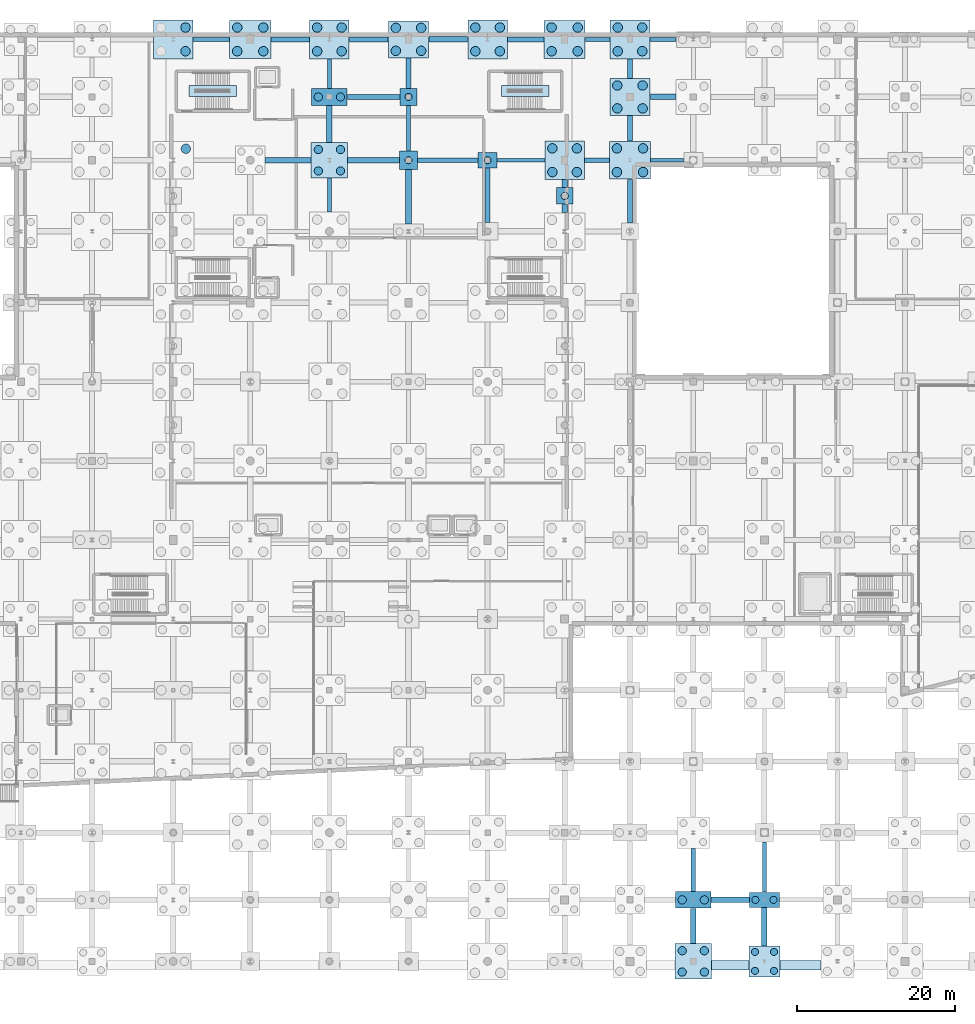
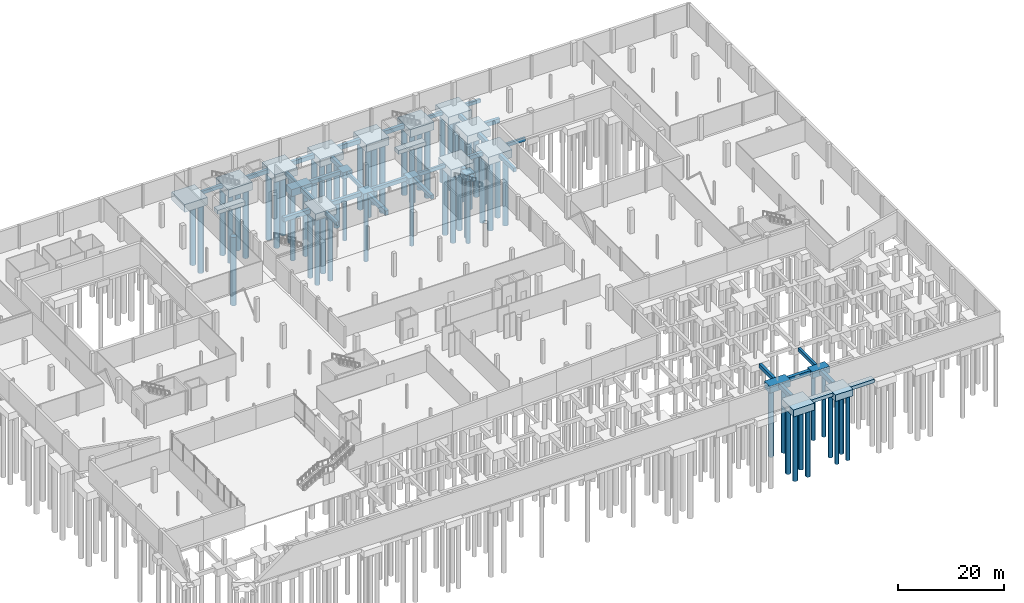
# One storey, part 10 of 60: 61 piles, 56 footings.
"""IFC4 building model written with IfcOpenShell, lengths in metres."""

from ifc_helpers import new_model, si_unit, direction, frame, origin, origin_2d, place, context, subcontext, project, spatial, rectangle, circle, extrude, material, material_profile, profile_set, type_object, element, save


model = new_model("IFC4")

# Units and contexts
model_context = context("Model", 3, precision=1e-05, world=origin(), true_north=direction((0.0, 1.0)))
body_context = subcontext(model_context, "Body", "Model", "MODEL_VIEW")
ifc_project = project(units=[si_unit("LENGTHUNIT", "METRE"), si_unit("AREAUNIT", "SQUARE_METRE"), si_unit("VOLUMEUNIT", "CUBIC_METRE"), si_unit("PLANEANGLEUNIT", "RADIAN"), si_unit("MASSUNIT", "GRAM", prefix="KILO")], contexts=[model_context])

# Site, building, storey
site_placement = place(None, origin())
site = spatial("IfcSite", under=ifc_project, at=site_placement, CompositionType="ELEMENT")
building_placement = place(site_placement, origin())
building = spatial("IfcBuilding", under=site, at=building_placement, Name="Trimount Lyric Opera House", CompositionType="ELEMENT")
storey_placement = place(building_placement, frame((0.0, 0.0, -5.39990234375)))
storey = spatial("IfcBuildingStorey", under=building, at=storey_placement, Name="B1", CompositionType="ELEMENT", Elevation=-5.39990234375)

# Footings
ifc_material_1 = material(Name="Concrete C40/50", Category="concrete")
footing_type_1 = type_object("IfcFootingType", Name="FB-01", PredefinedType="FOOTING_BEAM", material=ifc_material_1)
footing_1_placement = place(storey_placement, frame((78.77490234375, 102.0, -1.60009765625), z_axis=(0.0, 0.0, 1.0), x_axis=(1.0, 0.0, 0.0)))
element("IfcFooting", 1, at=footing_1_placement, inside=storey, type_object=footing_type_1, Name="Ground tie beam X-0188", PredefinedType="FOOTING_BEAM", context=body_context, shape_type="SweptSolid", body=[
    extrude(rectangle(XDim=5.820068359375, YDim=0.699951171875, at=origin_2d()), origin(), (0.0, 0.0, 1.0), 1.0),
])
footing_2_placement = place(storey_placement, frame((84.0, 106.60009765625, -1.60009765625), z_axis=(0.0, 0.0, 1.0), x_axis=(1.0, 0.0, 0.0)))
element("IfcFooting", 2, at=footing_2_placement, inside=storey, type_object=footing_type_1, Name="Ground tie beam Y-0212", PredefinedType="FOOTING_BEAM", context=body_context, shape_type="SweptSolid", body=[
    extrude(rectangle(XDim=0.699951171875, YDim=4.669921875, at=origin_2d()), origin(), (0.0, 0.0, 1.0), 1.0),
])
footing_3_placement = place(storey_placement, frame((94.0, 97.39990234375, -1.60009765625), z_axis=(0.0, 0.0, 1.0), x_axis=(1.0, 0.0, 0.0)))
element("IfcFooting", 3, at=footing_3_placement, inside=storey, type_object=footing_type_1, Name="Ground tie beam Y-0236", PredefinedType="FOOTING_BEAM", context=body_context, shape_type="SweptSolid", body=[
    extrude(rectangle(XDim=0.699951171875, YDim=6.8701171875, at=origin_2d()), origin(), (0.0, 0.0, 1.0), 1.0),
])
footing_4_placement = place(storey_placement, frame((99.02490234375, 117.280029296875, -1.60009765625), z_axis=(0.0, 0.0, 1.0), x_axis=(1.0, 0.0, 0.0)))
element("IfcFooting", 4, at=footing_4_placement, inside=storey, type_object=footing_type_1, Name="Ground tie beam X-0240", PredefinedType="FOOTING_BEAM", context=body_context, shape_type="SweptSolid", body=[
    extrude(rectangle(XDim=4.919921875, YDim=0.699951171875, at=origin_2d()), origin(), (0.0, 0.0, 1.0), 1.0),
])
footing_5_placement = place(storey_placement, frame((113.739990234375, 95.89990234375, -1.60009765625), z_axis=(0.0, 0.0, 1.0), x_axis=(1.0, 0.0, 0.0)))
element("IfcFooting", 5, at=footing_5_placement, inside=storey, type_object=footing_type_1, Name="Ground tie beam Y-0284 seg 1", PredefinedType="FOOTING_BEAM", context=body_context, shape_type="SweptSolid", body=[
    extrude(rectangle(XDim=0.699951171875, YDim=1.070068359375, at=origin_2d()), origin(), (0.0, 0.0, 1.0), 1.0),
])
footing_6_placement = place(storey_placement, frame((113.739990234375, 99.050048828125, -1.60009765625), z_axis=(0.0, 0.0, 1.0), x_axis=(1.0, 0.0, 0.0)))
element("IfcFooting", 6, at=footing_6_placement, inside=storey, type_object=footing_type_1, Name="Ground tie beam Y-0284 seg 2", PredefinedType="FOOTING_BEAM", context=body_context, shape_type="SweptSolid", body=[
    extrude(rectangle(XDim=0.699951171875, YDim=0.969970703125, at=origin_2d()), origin(), (0.0, 0.0, 1.0), 1.0),
])
footing_7_placement = place(storey_placement, frame((126.175048828125, 110.0, -1.60009765625), z_axis=(0.0, 0.0, 1.0), x_axis=(1.0, 0.0, 0.0)))
element("IfcFooting", 7, at=footing_7_placement, inside=storey, type_object=footing_type_1, Name="Ground tie beam X-0308", PredefinedType="FOOTING_BEAM", context=body_context, shape_type="SweptSolid", body=[
    extrude(rectangle(XDim=3.219970703125, YDim=0.699951171875, at=origin_2d()), origin(), (0.0, 0.0, 1.0), 1.0),
])
footing_8_placement = place(storey_placement, frame((134.675048828125, 8.5, -1.60009765625), z_axis=(0.0, 0.0, 1.0), x_axis=(1.0, 0.0, 0.0)))
element("IfcFooting", 8, at=footing_8_placement, inside=storey, type_object=footing_type_1, Name="Ground tie beam X-0312", PredefinedType="FOOTING_BEAM", context=body_context, shape_type="SweptSolid", body=[
    extrude(rectangle(XDim=4.820068359375, YDim=0.699951171875, at=origin_2d()), origin(), (0.0, 0.0, 1.0), 1.0),
])
footing_9_placement = place(storey_placement, frame((139.0, 5.110107421875, -1.60009765625), z_axis=(0.0, 0.0, 1.0), x_axis=(1.0, 0.0, 0.0)))
element("IfcFooting", 9, at=footing_9_placement, inside=storey, type_object=footing_type_1, Name="Ground tie beam Y-0332", PredefinedType="FOOTING_BEAM", context=body_context, shape_type="SweptSolid", body=[
    extrude(rectangle(XDim=0.699951171875, YDim=4.85009765625, at=origin_2d()), origin(), (0.0, 0.0, 1.0), 1.0),
])
ifc_material_2 = material(Name="Concrete C40/50", Category="concrete")
footing_type_2 = type_object("IfcFootingType", Name="FB-02", PredefinedType="FOOTING_BEAM", material=ifc_material_2)
footing_10_placement = place(storey_placement, frame((79.050048828125, 117.280029296875, -1.5), z_axis=(0.0, 0.0, 1.0), x_axis=(1.0, 0.0, 0.0)))
element("IfcFooting", 10, at=footing_10_placement, inside=storey, type_object=footing_type_2, Name="Ground tie beam X-0189", PredefinedType="FOOTING_BEAM", context=body_context, shape_type="SweptSolid", body=[
    extrude(rectangle(XDim=4.8701171875, YDim=0.60009765625, at=origin_2d()), origin(), (0.0, 0.0, 1.0), 0.89990234375),
])
footing_11_placement = place(storey_placement, frame((89.60009765625, 110.0, -1.5), z_axis=(0.0, 0.0, 1.0), x_axis=(1.0, 0.0, 0.0)))
element("IfcFooting", 11, at=footing_11_placement, inside=storey, type_object=footing_type_2, Name="Ground tie beam X-0213", PredefinedType="FOOTING_BEAM", context=body_context, shape_type="SweptSolid", body=[
    extrude(rectangle(XDim=6.669921875, YDim=0.60009765625, at=origin_2d()), origin(), (0.0, 0.0, 1.0), 0.89990234375),
])
footing_12_placement = place(storey_placement, frame((98.97509765625, 102.0, -1.5), z_axis=(0.0, 0.0, 1.0), x_axis=(1.0, 0.0, 0.0)))
element("IfcFooting", 12, at=footing_12_placement, inside=storey, type_object=footing_type_2, Name="Ground tie beam X-0237", PredefinedType="FOOTING_BEAM", context=body_context, shape_type="SweptSolid", body=[
    extrude(rectangle(XDim=7.6201171875, YDim=0.60009765625, at=origin_2d()), origin(), (0.0, 0.0, 1.0), 0.89990234375),
])
footing_13_placement = place(storey_placement, frame((104.0, 97.550048828125, -1.5), z_axis=(0.0, 0.0, 1.0), x_axis=(1.0, 0.0, 0.0)))
element("IfcFooting", 13, at=footing_13_placement, inside=storey, type_object=footing_type_2, Name="Ground tie beam Y-0261", PredefinedType="FOOTING_BEAM", context=body_context, shape_type="SweptSolid", body=[
    extrude(rectangle(XDim=0.60009765625, YDim=6.8701171875, at=origin_2d()), origin(), (0.0, 0.0, 1.0), 0.89990234375),
])
footing_14_placement = place(storey_placement, frame((117.820068359375, 102.0, -1.5), z_axis=(0.0, 0.0, 1.0), x_axis=(1.0, 0.0, 0.0)))
element("IfcFooting", 14, at=footing_14_placement, inside=storey, type_object=footing_type_2, Name="Ground tie beam X-0285", PredefinedType="FOOTING_BEAM", context=body_context, shape_type="SweptSolid", body=[
    extrude(rectangle(XDim=3.1298828125, YDim=0.60009765625, at=origin_2d()), origin(), (0.0, 0.0, 1.0), 0.89990234375),
])
footing_15_placement = place(storey_placement, frame((122.0, 96.824951171875, -1.5), z_axis=(0.0, 0.0, 1.0), x_axis=(1.0, 0.0, 0.0)))
element("IfcFooting", 15, at=footing_15_placement, inside=storey, type_object=footing_type_2, Name="Ground tie beam Y-0305", PredefinedType="FOOTING_BEAM", context=body_context, shape_type="SweptSolid", body=[
    extrude(rectangle(XDim=0.60009765625, YDim=5.52001953125, at=origin_2d()), origin(), (0.0, 0.0, 1.0), 0.89990234375),
])
footing_16_placement = place(storey_placement, frame((122.0, 113.590087890625, -1.5), z_axis=(0.0, 0.0, 1.0), x_axis=(1.0, 0.0, 0.0)))
element("IfcFooting", 16, at=footing_16_placement, inside=storey, type_object=footing_type_2, Name="Ground tie beam Y-0309", PredefinedType="FOOTING_BEAM", context=body_context, shape_type="SweptSolid", body=[
    extrude(rectangle(XDim=0.60009765625, YDim=2.449951171875, at=origin_2d()), origin(), (0.0, 0.0, 1.0), 0.89990234375),
])
footing_17_placement = place(storey_placement, frame((130.0, 12.27490234375, -1.5), z_axis=(0.0, 0.0, 1.0), x_axis=(1.0, 0.0, 0.0)))
element("IfcFooting", 17, at=footing_17_placement, inside=storey, type_object=footing_type_2, Name="Ground tie beam Y-0313", PredefinedType="FOOTING_BEAM", context=body_context, shape_type="SweptSolid", body=[
    extrude(rectangle(XDim=0.60009765625, YDim=5.419921875, at=origin_2d()), origin(), (0.0, 0.0, 1.0), 0.89990234375),
])
ifc_material_3 = material(Name="Concrete C40/50", Category="concrete")
footing_type_3 = type_object("IfcFootingType", Name="FB-03", PredefinedType="FOOTING_BEAM", material=ifc_material_3)
footing_18_placement = place(storey_placement, frame((69.080078125, 117.280029296875, -1.39990234375), z_axis=(0.0, 0.0, 1.0), x_axis=(1.0, 0.0, 0.0)))
element("IfcFooting", 18, at=footing_18_placement, inside=storey, type_object=footing_type_3, Name="Ground tie beam X-0166", PredefinedType="FOOTING_BEAM", context=body_context, shape_type="SweptSolid", body=[
    extrude(rectangle(XDim=4.610107421875, YDim=0.5, at=origin_2d()), origin(), (0.0, 0.0, 1.0), 0.800048828125),
])
footing_19_placement = place(storey_placement, frame((84.0, 97.60009765625, -1.39990234375), z_axis=(0.0, 0.0, 1.0), x_axis=(1.0, 0.0, 0.0)))
element("IfcFooting", 19, at=footing_19_placement, inside=storey, type_object=footing_type_3, Name="Ground tie beam Y-0210", PredefinedType="FOOTING_BEAM", context=body_context, shape_type="SweptSolid", body=[
    extrude(rectangle(XDim=0.5, YDim=4.27001953125, at=origin_2d()), origin(), (0.0, 0.0, 1.0), 0.800048828125),
])
footing_20_placement = place(storey_placement, frame((84.0, 112.93994140625, -1.39990234375), z_axis=(0.0, 0.0, 1.0), x_axis=(1.0, 0.0, 0.0)))
element("IfcFooting", 20, at=footing_20_placement, inside=storey, type_object=footing_type_3, Name="Ground tie beam Y-0214", PredefinedType="FOOTING_BEAM", context=body_context, shape_type="SweptSolid", body=[
    extrude(rectangle(XDim=0.5, YDim=3.75, at=origin_2d()), origin(), (0.0, 0.0, 1.0), 0.800048828125),
])
footing_21_placement = place(storey_placement, frame((94.0, 106.050048828125, -1.39990234375), z_axis=(0.0, 0.0, 1.0), x_axis=(1.0, 0.0, 0.0)))
element("IfcFooting", 21, at=footing_21_placement, inside=storey, type_object=footing_type_3, Name="Ground tie beam Y-0238", PredefinedType="FOOTING_BEAM", context=body_context, shape_type="SweptSolid", body=[
    extrude(rectangle(XDim=0.5, YDim=5.77001953125, at=origin_2d()), origin(), (0.0, 0.0, 1.0), 0.800048828125),
])
footing_22_placement = place(storey_placement, frame((108.219970703125, 102.0, -1.39990234375), z_axis=(0.0, 0.0, 1.0), x_axis=(1.0, 0.0, 0.0)))
element("IfcFooting", 22, at=footing_22_placement, inside=storey, type_object=footing_type_3, Name="Ground tie beam X-0262", PredefinedType="FOOTING_BEAM", context=body_context, shape_type="SweptSolid", body=[
    extrude(rectangle(XDim=6.010009765625, YDim=0.5, at=origin_2d()), origin(), (0.0, 0.0, 1.0), 0.800048828125),
])
footing_23_placement = place(storey_placement, frame((117.919921875, 117.280029296875, -1.39990234375), z_axis=(0.0, 0.0, 1.0), x_axis=(1.0, 0.0, 0.0)))
element("IfcFooting", 23, at=footing_23_placement, inside=storey, type_object=footing_type_3, Name="Ground tie beam X-0286", PredefinedType="FOOTING_BEAM", context=body_context, shape_type="SweptSolid", body=[
    extrude(rectangle(XDim=3.1298828125, YDim=0.5, at=origin_2d()), origin(), (0.0, 0.0, 1.0), 0.800048828125),
])
footing_24_placement = place(storey_placement, frame((126.699951171875, 102.0, -1.39990234375), z_axis=(0.0, 0.0, 1.0), x_axis=(1.0, 0.0, 0.0)))
element("IfcFooting", 24, at=footing_24_placement, inside=storey, type_object=footing_type_3, Name="Ground tie beam X-0306", PredefinedType="FOOTING_BEAM", context=body_context, shape_type="SweptSolid", body=[
    extrude(rectangle(XDim=4.169921875, YDim=0.5, at=origin_2d()), origin(), (0.0, 0.0, 1.0), 0.800048828125),
])
footing_25_placement = place(storey_placement, frame((126.175048828125, 117.280029296875, -1.39990234375), z_axis=(0.0, 0.0, 1.0), x_axis=(1.0, 0.0, 0.0)))
element("IfcFooting", 25, at=footing_25_placement, inside=storey, type_object=footing_type_3, Name="Ground tie beam X-0310", PredefinedType="FOOTING_BEAM", context=body_context, shape_type="SweptSolid", body=[
    extrude(rectangle(XDim=3.320068359375, YDim=0.5, at=origin_2d()), origin(), (0.0, 0.0, 1.0), 0.800048828125),
])
footing_26_placement = place(storey_placement, frame((139.0, 12.64990234375, -1.39990234375), z_axis=(0.0, 0.0, 1.0), x_axis=(1.0, 0.0, 0.0)))
element("IfcFooting", 26, at=footing_26_placement, inside=storey, type_object=footing_type_3, Name="Ground tie beam Y-0334", PredefinedType="FOOTING_BEAM", context=body_context, shape_type="SweptSolid", body=[
    extrude(rectangle(XDim=0.5, YDim=6.3701171875, at=origin_2d()), origin(), (0.0, 0.0, 1.0), 0.800048828125),
])
ifc_material_4 = material(Name="Concrete C40/50", Category="concrete")
footing_type_4 = type_object("IfcFootingType", Name="FB-04", PredefinedType="FOOTING_BEAM", material=ifc_material_4)
footing_27_placement = place(storey_placement, frame((89.574951171875, 102.0, -1.55029296875), z_axis=(0.0, 0.0, 1.0), x_axis=(1.0, 0.0, 0.0)))
element("IfcFooting", 27, at=footing_27_placement, inside=storey, type_object=footing_type_4, Name="Ground tie beam X-0211", PredefinedType="FOOTING_BEAM", context=body_context, shape_type="SweptSolid", body=[
    extrude(rectangle(XDim=6.52001953125, YDim=0.64990234375, at=origin_2d()), origin(), (0.0, 0.0, 1.0), 0.949951171875),
])
footing_28_placement = place(storey_placement, frame((88.97509765625, 117.280029296875, -1.55029296875), z_axis=(0.0, 0.0, 1.0), x_axis=(1.0, 0.0, 0.0)))
element("IfcFooting", 28, at=footing_28_placement, inside=storey, type_object=footing_type_4, Name="Ground tie beam X-0215", PredefinedType="FOOTING_BEAM", context=body_context, shape_type="SweptSolid", body=[
    extrude(rectangle(XDim=4.919921875, YDim=0.64990234375, at=origin_2d()), origin(), (0.0, 0.0, 1.0), 0.949951171875),
])
footing_29_placement = place(storey_placement, frame((94.0, 112.989990234375, -1.55029296875), z_axis=(0.0, 0.0, 1.0), x_axis=(1.0, 0.0, 0.0)))
element("IfcFooting", 29, at=footing_29_placement, inside=storey, type_object=footing_type_4, Name="Ground tie beam Y-0239", PredefinedType="FOOTING_BEAM", context=body_context, shape_type="SweptSolid", body=[
    extrude(rectangle(XDim=0.64990234375, YDim=3.85009765625, at=origin_2d()), origin(), (0.0, 0.0, 1.0), 0.949951171875),
])
footing_30_placement = place(storey_placement, frame((108.820068359375, 117.280029296875, -1.55029296875), z_axis=(0.0, 0.0, 1.0), x_axis=(1.0, 0.0, 0.0)))
element("IfcFooting", 30, at=footing_30_placement, inside=storey, type_object=footing_type_4, Name="Ground tie beam X-0263", PredefinedType="FOOTING_BEAM", context=body_context, shape_type="SweptSolid", body=[
    extrude(rectangle(XDim=4.610107421875, YDim=0.64990234375, at=origin_2d()), origin(), (0.0, 0.0, 1.0), 0.949951171875),
])
footing_31_placement = place(storey_placement, frame((122.0, 106.02490234375, -1.55029296875), z_axis=(0.0, 0.0, 1.0), x_axis=(1.0, 0.0, 0.0)))
element("IfcFooting", 31, at=footing_31_placement, inside=storey, type_object=footing_type_4, Name="Ground tie beam Y-0307", PredefinedType="FOOTING_BEAM", context=body_context, shape_type="SweptSolid", body=[
    extrude(rectangle(XDim=0.64990234375, YDim=3.219970703125, at=origin_2d()), origin(), (0.0, 0.0, 1.0), 0.949951171875),
])
footing_32_placement = place(storey_placement, frame((130.0, 5.2099609375, -1.55029296875), z_axis=(0.0, 0.0, 1.0), x_axis=(1.0, 0.0, 0.0)))
element("IfcFooting", 32, at=footing_32_placement, inside=storey, type_object=footing_type_4, Name="Ground tie beam Y-0311", PredefinedType="FOOTING_BEAM", context=body_context, shape_type="SweptSolid", body=[
    extrude(rectangle(XDim=0.64990234375, YDim=4.449951171875, at=origin_2d()), origin(), (0.0, 0.0, 1.0), 0.949951171875),
])
ifc_material_5 = material(Name="Concrete C40/50", Category="concrete")
footing_type_5 = type_object("IfcFootingType", Name="PC-06", PredefinedType="PILE_CAP", material=ifc_material_5)
footing_33_placement = place(storey_placement, frame((139.0, 0.719970703125, -2.10009765625), z_axis=(0.0, 0.0, 1.0), x_axis=(1.0, 0.0, 0.0)))
element("IfcFooting", 33, at=footing_33_placement, inside=storey, type_object=footing_type_5, Name="Pile cap 16/A", PredefinedType="PILE_CAP", context=body_context, shape_type="SweptSolid", body=[
    extrude(rectangle(XDim=3.89990234375, YDim=3.89990234375, at=origin_2d()), origin(), (0.0, 0.0, 1.0), 1.5),
])
ifc_material_6 = material(Name="Concrete C40/50", Category="concrete")
footing_type_6 = type_object("IfcFootingType", Name="PC-07", PredefinedType="PILE_CAP", material=ifc_material_6)
footing_34_placement = place(storey_placement, frame((139.0, 8.5, -2.10009765625), z_axis=(0.0, 0.0, 1.0), x_axis=(1.0, 0.0, 0.0)))
element("IfcFooting", 34, at=footing_34_placement, inside=storey, type_object=footing_type_6, Name="Pile cap 16/B", PredefinedType="PILE_CAP", context=body_context, shape_type="SweptSolid", body=[
    extrude(rectangle(XDim=3.800048828125, YDim=1.89990234375, at=origin_2d()), origin(), (0.0, 0.0, 1.0), 1.5),
])
ifc_material_7 = material(Name="Concrete C40/50", Category="concrete")
footing_type_7 = type_object("IfcFootingType", Name="PC-08", PredefinedType="PILE_CAP", material=ifc_material_7)
footing_35_placement = place(storey_placement, frame((94.0, 102.0, -2.10009765625), z_axis=(0.0, 0.0, 1.0), x_axis=(1.0, 0.0, 0.0)))
element("IfcFooting", 35, at=footing_35_placement, inside=storey, type_object=footing_type_7, Name="Pile cap 11/M", PredefinedType="PILE_CAP", context=body_context, shape_type="SweptSolid", body=[
    extrude(rectangle(XDim=2.300048828125, YDim=2.300048828125, at=origin_2d()), origin(), (0.0, 0.0, 1.0), 1.5),
])
ifc_material_8 = material(Name="Concrete C40/50", Category="concrete")
footing_type_8 = type_object("IfcFootingType", Name="PC-09", PredefinedType="PILE_CAP", material=ifc_material_8)
for number, where, z_axis, x_axis, name in (
    (36, (94.0, 110.0, -2.10009765625), (0.0, 0.0, 1.0), (1.0, 0.0, 0.0), "Pile cap 11/N"),
    (37, (113.75, 97.5, -2.10009765625), (0.0, 0.0, 1.0), (1.0, 0.0, 0.0), "Pilaster pile cap E04"),
):
    element("IfcFooting", number, at=place(storey_placement, frame(where, z_axis=z_axis, x_axis=x_axis)), inside=storey, type_object=footing_type_8, Name=name, PredefinedType="PILE_CAP", context=body_context, shape_type="SweptSolid", body=[
        extrude(rectangle(XDim=2.10009765625, YDim=2.10009765625, at=origin_2d()), origin(), (0.0, 0.0, 1.0), 1.5),
    ])
ifc_material_9 = material(Name="Concrete C40/50", Category="concrete")
footing_type_9 = type_object("IfcFootingType", Name="PC-10", PredefinedType="PILE_CAP", material=ifc_material_9)
for number, where, z_axis, x_axis, name in (
    (38, (74.0, 117.280029296875, -2.39990234375), (0.0, 0.0, 1.0), (1.0, 0.0, 0.0), "Pile cap 9/P"),
    (39, (113.739990234375, 117.280029296875, -2.39990234375), (0.0, 0.0, 1.0), (1.0, 0.0, 0.0), "Pile cap 13/P"),
    (40, (122.0, 102.0, -2.39990234375), (0.0, 0.0, 1.0), (1.0, 0.0, 0.0), "Pile cap 14/M"),
):
    element("IfcFooting", number, at=place(storey_placement, frame(where, z_axis=z_axis, x_axis=x_axis)), inside=storey, type_object=footing_type_9, Name=name, PredefinedType="PILE_CAP", context=body_context, shape_type="SweptSolid", body=[
        extrude(rectangle(XDim=5.199951171875, YDim=4.800048828125, at=origin_2d()), origin(), (0.0, 0.0, 1.0), 1.800048828125),
    ])
ifc_material_10 = material(Name="Concrete C40/50", Category="concrete")
footing_type_10 = type_object("IfcFootingType", Name="PC-11", PredefinedType="PILE_CAP", material=ifc_material_10)
for number, where, z_axis, x_axis, name in (
    (41, (94.0, 117.280029296875, -2.39990234375), (0.0, 0.0, 1.0), (1.0, 0.0, 0.0), "Pile cap 11/P"),
    (42, (122.0, 110.0, -2.39990234375), (0.0, 0.0, 1.0), (1.0, 0.0, 0.0), "Pile cap 14/N"),
):
    element("IfcFooting", number, at=place(storey_placement, frame(where, z_axis=z_axis, x_axis=x_axis)), inside=storey, type_object=footing_type_10, Name=name, PredefinedType="PILE_CAP", context=body_context, shape_type="SweptSolid", body=[
        extrude(rectangle(XDim=5.10009765625, YDim=4.699951171875, at=origin_2d()), origin(), (0.0, 0.0, 1.0), 1.800048828125),
    ])
ifc_material_11 = material(Name="Concrete C40/50", Category="concrete")
footing_type_11 = type_object("IfcFootingType", Name="PC-12", PredefinedType="PILE_CAP", material=ifc_material_11)
for number, where, z_axis, x_axis, name in (
    (43, (64.260009765625, 117.280029296875, -2.39990234375), (0.0, 0.0, 1.0), (1.0, 0.0, 0.0), "Pile cap 8/P"),
    (44, (84.0, 117.280029296875, -2.39990234375), (0.0, 0.0, 1.0), (1.0, 0.0, 0.0), "Pile cap 10/P"),
    (45, (104.0, 117.280029296875, -2.39990234375), (0.0, 0.0, 1.0), (1.0, 0.0, 0.0), "Pile cap 12/P"),
    (46, (113.739990234375, 102.0, -2.39990234375), (0.0, 0.0, 1.0), (1.0, 0.0, 0.0), "Pile cap 13/M"),
    (47, (122.0, 117.280029296875, -2.39990234375), (0.0, 0.0, 1.0), (1.0, 0.0, 0.0), "Pile cap 14/P"),
):
    element("IfcFooting", number, at=place(storey_placement, frame(where, z_axis=z_axis, x_axis=x_axis)), inside=storey, type_object=footing_type_11, Name=name, PredefinedType="PILE_CAP", context=body_context, shape_type="SweptSolid", body=[
        extrude(rectangle(XDim=5.0, YDim=4.89990234375, at=origin_2d()), origin(), (0.0, 0.0, 1.0), 1.800048828125),
    ])
ifc_material_12 = material(Name="Concrete C40/50", Category="concrete")
footing_type_12 = type_object("IfcFootingType", Name="PC-13", PredefinedType="PILE_CAP", material=ifc_material_12)
for number, where, z_axis, x_axis, name in (
    (48, (84.0, 102.0, -2.2001953125), (0.0, 0.0, 1.0), (1.0, 0.0, 0.0), "Pile cap 10/M"),
    (49, (130.0, 0.719970703125, -2.2001953125), (0.0, 0.0, 1.0), (1.0, 0.0, 0.0), "Pile cap 15/A"),
):
    element("IfcFooting", number, at=place(storey_placement, frame(where, z_axis=z_axis, x_axis=x_axis)), inside=storey, type_object=footing_type_12, Name=name, PredefinedType="PILE_CAP", context=body_context, shape_type="SweptSolid", body=[
        extrude(rectangle(XDim=4.60009765625, YDim=4.5, at=origin_2d()), origin(), (0.0, 0.0, 1.0), 1.60009765625),
    ])
ifc_material_13 = material(Name="Concrete C40/50", Category="concrete")
footing_type_13 = type_object("IfcFootingType", Name="PC-14", PredefinedType="PILE_CAP", material=ifc_material_13)
for number, where, z_axis, x_axis, name in (
    (50, (84.0, 110.0, -2.2001953125), (0.0, 0.0, 1.0), (1.0, 0.0, 0.0), "Pile cap 10/N"),
    (51, (130.0, 8.5, -2.2001953125), (0.0, 0.0, 1.0), (1.0, 0.0, 0.0), "Pile cap 15/B"),
):
    element("IfcFooting", number, at=place(storey_placement, frame(where, z_axis=z_axis, x_axis=x_axis)), inside=storey, type_object=footing_type_13, Name=name, PredefinedType="PILE_CAP", context=body_context, shape_type="SweptSolid", body=[
        extrude(rectangle(XDim=4.5, YDim=2.10009765625, at=origin_2d()), origin(), (0.0, 0.0, 1.0), 1.60009765625),
    ])
ifc_material_14 = material(Name="Concrete C40/50", Category="concrete")
footing_type_14 = type_object("IfcFootingType", Name="PC-22", PredefinedType="PILE_CAP", material=ifc_material_14)
footing_36_placement = place(storey_placement, frame((104.0, 102.0, -2.0), z_axis=(0.0, 0.0, 1.0), x_axis=(1.0, 0.0, 0.0)))
element("IfcFooting", 52, at=footing_36_placement, inside=storey, type_object=footing_type_14, Name="Pile cap 12/M", PredefinedType="PILE_CAP", context=body_context, shape_type="SweptSolid", body=[
    extrude(rectangle(XDim=2.39990234375, YDim=2.0, at=origin_2d()), origin(), (0.0, 0.0, 1.0), 1.39990234375),
])

# Piles
ifc_material_15 = material(Name="Concrete C40/50", Category="concrete")
ifc_material_profile_1 = material_profile(ifc_material_15, circle(Radius=0.52490234375, at=origin_2d()), Name="PILE-D1050")
ifc_profile_set_1 = profile_set([ifc_material_profile_1], Name="Concrete C40/50")
pile_type_1 = type_object("IfcPileType", Name="PL-1050", PredefinedType="BORED", material=ifc_profile_set_1)
for number, where, z_axis, x_axis, name in (
    (53, (82.60009765625, 100.64990234375, -2.10009765625), (0.0, 0.0, -1.0), (1.0, 0.0, 0.0), "Bored pile 0369"),
    (54, (85.39990234375, 100.64990234375, -2.10009765625), (0.0, 0.0, -1.0), (1.0, 0.0, 0.0), "Bored pile 0370"),
    (55, (82.60009765625, 103.35009765625, -2.10009765625), (0.0, 0.0, -1.0), (1.0, 0.0, 0.0), "Bored pile 0371"),
    (56, (85.39990234375, 103.35009765625, -2.10009765625), (0.0, 0.0, -1.0), (1.0, 0.0, 0.0), "Bored pile 0372"),
    (57, (82.60009765625, 110.0, -2.10009765625), (0.0, 0.0, -1.0), (1.0, 0.0, 0.0), "Bored pile 0373"),
    (58, (85.39990234375, 110.0, -2.10009765625), (0.0, 0.0, -1.0), (1.0, 0.0, 0.0), "Bored pile 0374"),
    (59, (128.60009765625, -0.6298828125, -2.10009765625), (0.0, 0.0, -1.0), (1.0, 0.0, 0.0), "Bored pile 0538"),
    (60, (131.39990234375, -0.6298828125, -2.10009765625), (0.0, 0.0, -1.0), (1.0, 0.0, 0.0), "Bored pile 0539"),
    (61, (128.60009765625, 2.070068359375, -2.10009765625), (0.0, 0.0, -1.0), (1.0, 0.0, 0.0), "Bored pile 0540"),
    (62, (131.39990234375, 2.070068359375, -2.10009765625), (0.0, 0.0, -1.0), (1.0, 0.0, 0.0), "Bored pile 0541"),
    (63, (128.60009765625, 8.5, -2.10009765625), (0.0, 0.0, -1.0), (1.0, 0.0, 0.0), "Bored pile 0542"),
    (64, (131.39990234375, 8.5, -2.10009765625), (0.0, 0.0, -1.0), (1.0, 0.0, 0.0), "Bored pile 0543"),
):
    element("IfcPile", number, at=place(storey_placement, frame(where, z_axis=z_axis, x_axis=x_axis)), inside=storey, type_object=pile_type_1, Name=name, PredefinedType="BORED", context=body_context, shape_type="SweptSolid", body=[
        extrude(circle(Radius=0.52490234375, at=origin_2d()), origin(), (0.0, 0.0, 1.0), 15.5),
    ])
ifc_material_16 = material(Name="Concrete C40/50", Category="concrete")
ifc_material_profile_2 = material_profile(ifc_material_16, circle(Radius=0.60009765625, at=origin_2d()), Name="PILE-D1200")
ifc_profile_set_2 = profile_set([ifc_material_profile_2], Name="Concrete C40/50")
pile_type_2 = type_object("IfcPileType", Name="PL-1200", PredefinedType="BORED", material=ifc_profile_set_2)
for number, where, z_axis, x_axis, name in (
    (65, (65.860107421875, 103.449951171875, -2.300048828125), (0.0, 0.0, -1.0), (1.0, 0.0, 0.0), "Bored pile 0290"),
    (66, (65.81005859375, 115.780029296875, -2.300048828125), (0.0, 0.0, -1.0), (1.0, 0.0, 0.0), "Bored pile 0292"),
    (67, (65.81005859375, 118.780029296875, -2.300048828125), (0.0, 0.0, -1.0), (1.0, 0.0, 0.0), "Bored pile 0294"),
    (68, (72.35009765625, 115.780029296875, -2.300048828125), (0.0, 0.0, -1.0), (1.0, 0.0, 0.0), "Bored pile 0334"),
    (69, (75.64990234375, 115.780029296875, -2.300048828125), (0.0, 0.0, -1.0), (1.0, 0.0, 0.0), "Bored pile 0335"),
    (70, (72.35009765625, 118.780029296875, -2.300048828125), (0.0, 0.0, -1.0), (1.0, 0.0, 0.0), "Bored pile 0336"),
    (71, (75.64990234375, 118.780029296875, -2.300048828125), (0.0, 0.0, -1.0), (1.0, 0.0, 0.0), "Bored pile 0337"),
    (72, (82.449951171875, 115.780029296875, -2.300048828125), (0.0, 0.0, -1.0), (1.0, 0.0, 0.0), "Bored pile 0375"),
    (73, (85.550048828125, 115.780029296875, -2.300048828125), (0.0, 0.0, -1.0), (1.0, 0.0, 0.0), "Bored pile 0376"),
    (74, (82.449951171875, 118.780029296875, -2.300048828125), (0.0, 0.0, -1.0), (1.0, 0.0, 0.0), "Bored pile 0377"),
    (75, (85.550048828125, 118.780029296875, -2.300048828125), (0.0, 0.0, -1.0), (1.0, 0.0, 0.0), "Bored pile 0378"),
    (76, (92.39990234375, 115.830078125, -2.300048828125), (0.0, 0.0, -1.0), (1.0, 0.0, 0.0), "Bored pile 0413"),
    (77, (95.60009765625, 115.830078125, -2.300048828125), (0.0, 0.0, -1.0), (1.0, 0.0, 0.0), "Bored pile 0414"),
    (78, (92.39990234375, 118.72998046875, -2.300048828125), (0.0, 0.0, -1.0), (1.0, 0.0, 0.0), "Bored pile 0415"),
    (79, (95.60009765625, 118.72998046875, -2.300048828125), (0.0, 0.0, -1.0), (1.0, 0.0, 0.0), "Bored pile 0416"),
    (80, (102.449951171875, 115.780029296875, -2.300048828125), (0.0, 0.0, -1.0), (1.0, 0.0, 0.0), "Bored pile 0454"),
    (81, (105.550048828125, 115.780029296875, -2.300048828125), (0.0, 0.0, -1.0), (1.0, 0.0, 0.0), "Bored pile 0455"),
    (82, (102.449951171875, 118.780029296875, -2.300048828125), (0.0, 0.0, -1.0), (1.0, 0.0, 0.0), "Bored pile 0456"),
    (83, (105.550048828125, 118.780029296875, -2.300048828125), (0.0, 0.0, -1.0), (1.0, 0.0, 0.0), "Bored pile 0457"),
    (84, (112.18994140625, 100.5, -2.300048828125), (0.0, 0.0, -1.0), (1.0, 0.0, 0.0), "Bored pile 0492"),
    (85, (115.2900390625, 100.5, -2.300048828125), (0.0, 0.0, -1.0), (1.0, 0.0, 0.0), "Bored pile 0493"),
    (86, (112.18994140625, 103.5, -2.300048828125), (0.0, 0.0, -1.0), (1.0, 0.0, 0.0), "Bored pile 0494"),
    (87, (115.2900390625, 103.5, -2.300048828125), (0.0, 0.0, -1.0), (1.0, 0.0, 0.0), "Bored pile 0495"),
    (88, (112.090087890625, 115.780029296875, -2.300048828125), (0.0, 0.0, -1.0), (1.0, 0.0, 0.0), "Bored pile 0496"),
    (89, (115.389892578125, 115.780029296875, -2.300048828125), (0.0, 0.0, -1.0), (1.0, 0.0, 0.0), "Bored pile 0497"),
    (90, (112.090087890625, 118.780029296875, -2.300048828125), (0.0, 0.0, -1.0), (1.0, 0.0, 0.0), "Bored pile 0498"),
    (91, (115.389892578125, 118.780029296875, -2.300048828125), (0.0, 0.0, -1.0), (1.0, 0.0, 0.0), "Bored pile 0499"),
    (92, (120.35009765625, 100.5, -2.300048828125), (0.0, 0.0, -1.0), (1.0, 0.0, 0.0), "Bored pile 0526"),
    (93, (123.64990234375, 100.5, -2.300048828125), (0.0, 0.0, -1.0), (1.0, 0.0, 0.0), "Bored pile 0527"),
    (94, (120.35009765625, 103.5, -2.300048828125), (0.0, 0.0, -1.0), (1.0, 0.0, 0.0), "Bored pile 0528"),
    (95, (123.64990234375, 103.5, -2.300048828125), (0.0, 0.0, -1.0), (1.0, 0.0, 0.0), "Bored pile 0529"),
    (96, (120.39990234375, 108.550048828125, -2.300048828125), (0.0, 0.0, -1.0), (1.0, 0.0, 0.0), "Bored pile 0530"),
    (97, (123.60009765625, 108.550048828125, -2.300048828125), (0.0, 0.0, -1.0), (1.0, 0.0, 0.0), "Bored pile 0531"),
    (98, (120.39990234375, 111.449951171875, -2.300048828125), (0.0, 0.0, -1.0), (1.0, 0.0, 0.0), "Bored pile 0532"),
    (99, (123.60009765625, 111.449951171875, -2.300048828125), (0.0, 0.0, -1.0), (1.0, 0.0, 0.0), "Bored pile 0533"),
    (100, (120.449951171875, 115.780029296875, -2.300048828125), (0.0, 0.0, -1.0), (1.0, 0.0, 0.0), "Bored pile 0534"),
    (101, (123.550048828125, 115.780029296875, -2.300048828125), (0.0, 0.0, -1.0), (1.0, 0.0, 0.0), "Bored pile 0535"),
    (102, (120.449951171875, 118.780029296875, -2.300048828125), (0.0, 0.0, -1.0), (1.0, 0.0, 0.0), "Bored pile 0536"),
    (103, (123.550048828125, 118.780029296875, -2.300048828125), (0.0, 0.0, -1.0), (1.0, 0.0, 0.0), "Bored pile 0537"),
):
    element("IfcPile", number, at=place(storey_placement, frame(where, z_axis=z_axis, x_axis=x_axis)), inside=storey, type_object=pile_type_2, Name=name, PredefinedType="BORED", context=body_context, shape_type="SweptSolid", body=[
        extrude(circle(Radius=0.60009765625, at=origin_2d()), origin(), (0.0, 0.0, 1.0), 15.800048828125),
    ])
ifc_material_17 = material(Name="Concrete C40/50", Category="concrete")
ifc_material_profile_3 = material_profile(ifc_material_17, circle(Radius=0.449951171875, at=origin_2d()), Name="PILE-D900")
ifc_profile_set_3 = profile_set([ifc_material_profile_3], Name="Concrete C40/50")
pile_type_3 = type_object("IfcPileType", Name="PL-900", PredefinedType="BORED", material=ifc_profile_set_3)
for number, where, z_axis, x_axis, name in (
    (104, (94.0, 102.0, -2.0), (0.0, 0.0, -1.0), (1.0, 0.0, 0.0), "Bored pile 0411"),
    (105, (94.0, 110.0, -2.0), (0.0, 0.0, -1.0), (1.0, 0.0, 0.0), "Bored pile 0412"),
    (106, (104.0, 102.0, -1.900146484375), (0.0, 0.0, -1.0), (1.0, 0.0, 0.0), "Bored pile 0453"),
    (107, (137.800048828125, -0.47998046875, -2.0), (0.0, 0.0, -1.0), (1.0, 0.0, 0.0), "Bored pile 0571"),
    (108, (140.199951171875, -0.47998046875, -2.0), (0.0, 0.0, -1.0), (1.0, 0.0, 0.0), "Bored pile 0572"),
    (109, (137.800048828125, 1.919921875, -2.0), (0.0, 0.0, -1.0), (1.0, 0.0, 0.0), "Bored pile 0573"),
    (110, (140.199951171875, 1.919921875, -2.0), (0.0, 0.0, -1.0), (1.0, 0.0, 0.0), "Bored pile 0574"),
    (111, (137.85009765625, 8.5, -2.0), (0.0, 0.0, -1.0), (1.0, 0.0, 0.0), "Bored pile 0575"),
    (112, (140.14990234375, 8.5, -2.0), (0.0, 0.0, -1.0), (1.0, 0.0, 0.0), "Bored pile 0576"),
    (113, (113.75, 97.5, -2.0), (0.0, 0.0, -1.0), (1.0, 0.0, 0.0), "Bored pile 0766"),
):
    element("IfcPile", number, at=place(storey_placement, frame(where, z_axis=z_axis, x_axis=x_axis)), inside=storey, type_object=pile_type_3, Name=name, PredefinedType="BORED", context=body_context, shape_type="SweptSolid", body=[
        extrude(circle(Radius=0.449951171875, at=origin_2d()), origin(), (0.0, 0.0, 1.0), 15.0),
    ])

# Footings
ifc_material_18 = material(Name="Concrete C40/50", Category="concrete")
footing_type_15 = type_object("IfcFootingType", Name="SF-01", PredefinedType="STRIP_FOOTING", material=ifc_material_18)
for number, where, z_axis, x_axis, name in (
    (114, (69.25, 110.75, -1.5), (0.0, 0.0, 1.0), (1.0, 0.0, 0.0), "Core strip footing SF-K1"),
    (115, (108.75, 110.75, -1.5), (0.0, 0.0, 1.0), (1.0, 0.0, 0.0), "Core strip footing SF-K2"),
):
    element("IfcFooting", number, at=place(storey_placement, frame(where, z_axis=z_axis, x_axis=x_axis)), inside=storey, type_object=footing_type_15, Name=name, PredefinedType="STRIP_FOOTING", context=body_context, shape_type="SweptSolid", body=[
        extrude(rectangle(XDim=6.0, YDim=1.39990234375, at=origin_2d()), origin(), (0.0, 0.0, 1.0), 0.89990234375),
    ])
ifc_material_19 = material(Name="Concrete C40/50", Category="concrete")
footing_type_16 = type_object("IfcFootingType", Name="SF-02", PredefinedType="STRIP_FOOTING", material=ifc_material_19)
footing_37_placement = place(storey_placement, frame((134.675048828125, 0.25, -1.39990234375), z_axis=(0.0, 0.0, 1.0), x_axis=(1.0, 0.0, 0.0)))
element("IfcFooting", 116, at=footing_37_placement, inside=storey, type_object=footing_type_16, Name="Plaza perimeter plinth strip footing PLINTH-S2 seg 3", PredefinedType="STRIP_FOOTING", context=body_context, shape_type="SweptSolid", body=[
    extrude(rectangle(XDim=4.719970703125, YDim=1.199951171875, at=origin_2d()), origin(), (0.0, 0.0, 1.0), 0.800048828125),
])
footing_38_placement = place(storey_placement, frame((143.544921875, 0.25, -1.39990234375), z_axis=(0.0, 0.0, 1.0), x_axis=(1.0, 0.0, 0.0)))
element("IfcFooting", 117, at=footing_38_placement, inside=storey, type_object=footing_type_16, Name="Plaza perimeter plinth strip footing PLINTH-S2 seg 4", PredefinedType="STRIP_FOOTING", context=body_context, shape_type="SweptSolid", body=[
    extrude(rectangle(XDim=5.159912109375, YDim=1.199951171875, at=origin_2d()), origin(), (0.0, 0.0, 1.0), 0.800048828125),
])

save(model, "model.ifc")
